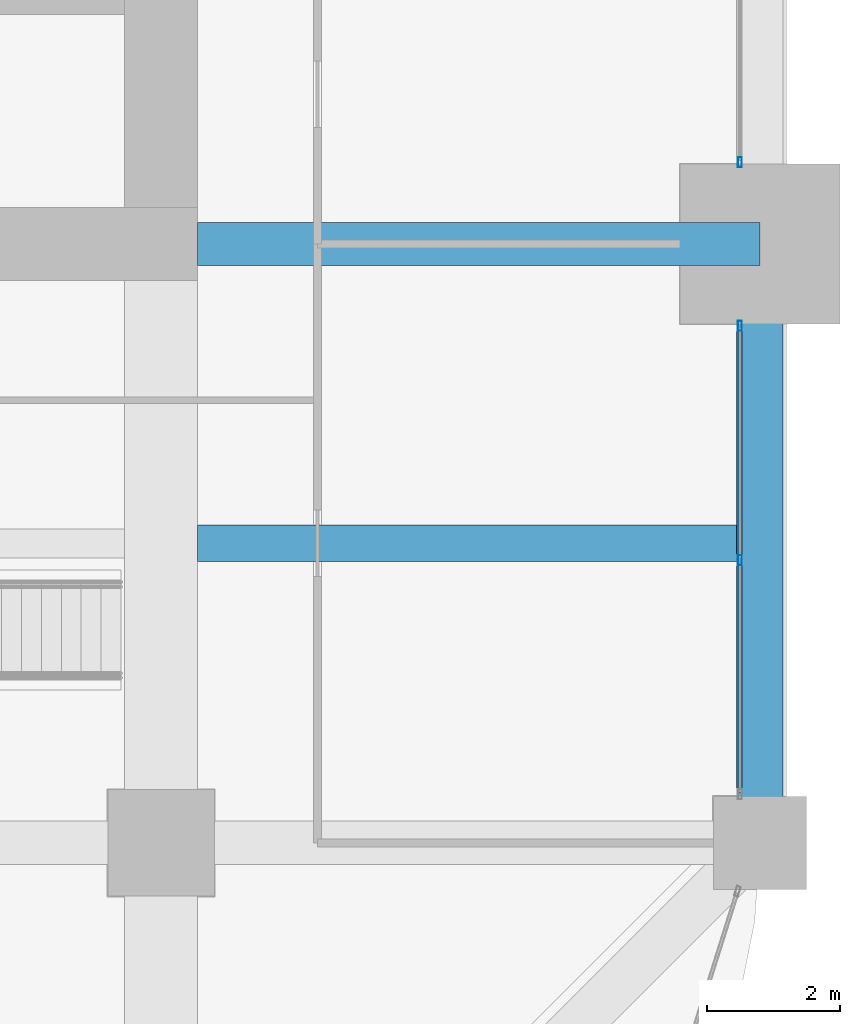
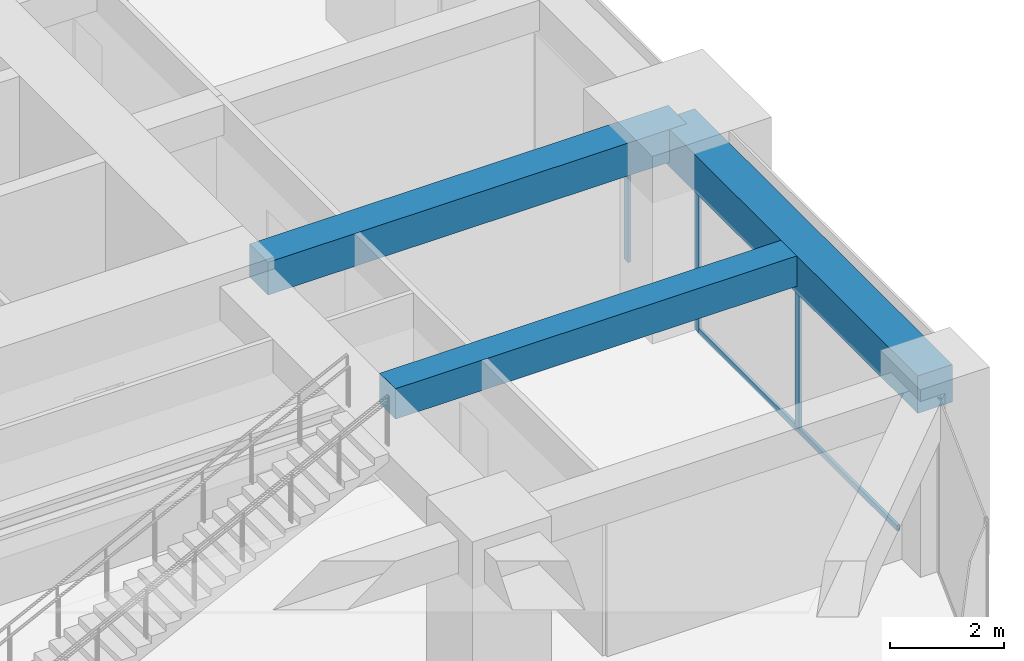
# One storey, part 17 of 34: 4 members, 3 beams, 2 elements without a shape of their own.
"""IFC4 building model written with IfcOpenShell, lengths in metres."""

from ifc_helpers import new_model, si_unit, direction, frame, origin, origin_2d, place, context, subcontext, project, spatial, rectangle, hollow_rectangle, extrude, material, material_profile, profile_set, type_object, element, aggregate, save


model = new_model("IFC4")

# Units and contexts
model_context = context("Model", 3, precision=1e-05, world=origin(), true_north=direction((0.0, 1.0)))
body_context = subcontext(model_context, "Body", "Model", "MODEL_VIEW")
ifc_project = project(units=[si_unit("LENGTHUNIT", "METRE"), si_unit("AREAUNIT", "SQUARE_METRE"), si_unit("VOLUMEUNIT", "CUBIC_METRE"), si_unit("PLANEANGLEUNIT", "RADIAN"), si_unit("MASSUNIT", "GRAM", prefix="KILO")], contexts=[model_context])

# Site, building, storey
site_placement = place(None, origin())
site = spatial("IfcSite", under=ifc_project, at=site_placement, CompositionType="ELEMENT")
building_placement = place(site_placement, origin())
building = spatial("IfcBuilding", under=site, at=building_placement, Name="Zorevar Civic Tower", CompositionType="ELEMENT")
storey_placement = place(building_placement, frame((0.0, 0.0, 174.199951171875)))
storey = spatial("IfcBuildingStorey", under=building, at=storey_placement, Name="L42", CompositionType="ELEMENT", Elevation=174.199951171875)

# Beams
ifc_material_1 = material(Name="Concrete C50/60", Category="concrete")
ifc_material_profile_1 = material_profile(ifc_material_1, rectangle(XDim=0.550048828125, YDim=0.64990234375, at=origin_2d()), Name="RC 550x650")
ifc_profile_set_1 = profile_set([ifc_material_profile_1], Name="Concrete C50/60")
beam_type_1 = type_object("IfcBeamType", Name="Beam RC 550x650", PredefinedType="BEAM", material=ifc_profile_set_1)
beam_1_placement = place(storey_placement, frame((45.550048828125, 13.5, 3.425048828125), z_axis=(1.0, 0.0, 0.0), x_axis=(0.0, 1.0, 0.0)))
element("IfcBeam", 1, at=beam_1_placement, inside=storey, type_object=beam_type_1, Name="Secondary beam L43", PredefinedType="BEAM", context=body_context, shape_type="SweptSolid", body=[
    extrude(rectangle(XDim=0.550048828125, YDim=0.64990234375, at=origin_2d()), origin(), (0.0, 0.0, 1.0), 8.099853515625),
])
ifc_material_2 = material(Name="Concrete C50/60", Category="concrete")
ifc_material_profile_2 = material_profile(ifc_material_2, rectangle(XDim=0.64990234375, YDim=0.699951171875, at=origin_2d()), Name="RC 650x700")
ifc_profile_set_2 = profile_set([ifc_material_profile_2], Name="Concrete C50/60")
beam_type_2 = type_object("IfcBeamType", Name="Beam RC 650x700", PredefinedType="BEAM", material=ifc_profile_set_2)
beam_2_placement = place(storey_placement, frame((45.550048828125, 18.0, 3.400146484375), z_axis=(1.0, 0.0, 0.0), x_axis=(0.0, 1.0, 0.0)))
element("IfcBeam", 2, at=beam_2_placement, inside=storey, type_object=beam_type_2, Name="Girder L43", PredefinedType="BEAM", context=body_context, shape_type="SweptSolid", body=[
    extrude(rectangle(XDim=0.64990234375, YDim=0.699951171875, at=origin_2d()), origin(), (0.0, 0.0, 1.0), 8.449951171875),
])

# Curtain wall, members
ifc_material_3 = material(Name="Dark grey solar-control glass in black aluminium frame", Category="aluminium")
curtain_wall_type = type_object("IfcCurtainWallType", Name="Curtain wall CW4 high zone", PredefinedType="NOTDEFINED", material=ifc_material_3)
curtain_wall_1_placement = place(storey_placement, origin())
curtain_wall_1 = element("IfcCurtainWall", 3, at=curtain_wall_1_placement, inside=storey, type_object=curtain_wall_type, Name="CW4 L42", PredefinedType="NOTDEFINED")
ifc_material_4 = material(Name="Aluminium, black anodised", Category="aluminium")
ifc_material_profile_3 = material_profile(ifc_material_4, hollow_rectangle(XDim=0.06005859375, YDim=0.14990234375, WallThickness=0.00390625, at=origin_2d()), Name="AL 150x60x4")
ifc_profile_set_3 = profile_set([ifc_material_profile_3], Name="Aluminium, black anodised")
member_type_1 = type_object("IfcMemberType", Name="CW4 mullion AL 150x60x4", PredefinedType="MULLION", material=ifc_profile_set_3)
member_1_placement = place(storey_placement, frame((53.699951171875, 13.25, 0.06005859375), z_axis=(0.0, 0.0, 1.0), x_axis=(-1.0, 0.0, 0.0)))
member_1 = element("IfcMember", 4, at=member_1_placement, type_object=member_type_1, Name="CW4 mullion 2", PredefinedType="MULLION", context=body_context, shape_type="SweptSolid", body=[
    extrude(hollow_rectangle(XDim=0.06005859375, YDim=0.14990234375, WallThickness=0.00390625, at=origin_2d()), origin(), (0.0, 0.0, 1.0), 2.889892578125),
])
member_2_placement = place(storey_placement, frame((53.699951171875, 16.77001953125, 0.0), z_axis=(0.0, 0.0, 1.0), x_axis=(-1.0, 0.0, 0.0)))
member_2 = element("IfcMember", 5, at=member_2_placement, type_object=member_type_1, Name="CW4 mullion 3", PredefinedType="MULLION", context=body_context, shape_type="SweptSolid", body=[
    extrude(hollow_rectangle(XDim=0.06005859375, YDim=0.14990234375, WallThickness=0.00390625, at=origin_2d()), origin(), (0.0, 0.0, 1.0), 2.949951171875),
])

# Curtain wall, member
curtain_wall_2_placement = place(storey_placement, origin())
curtain_wall_2 = element("IfcCurtainWall", 6, at=curtain_wall_2_placement, inside=storey, type_object=curtain_wall_type, Name="CW4 L42", PredefinedType="NOTDEFINED")
member_3_placement = place(storey_placement, frame((53.699951171875, 19.22998046875, 0.0), z_axis=(0.0, 0.0, 1.0), x_axis=(-1.0, 0.0, 0.0)))
member_3 = element("IfcMember", 7, at=member_3_placement, type_object=member_type_1, Name="CW4 mullion 1", PredefinedType="MULLION", context=body_context, shape_type="SweptSolid", body=[
    extrude(hollow_rectangle(XDim=0.06005859375, YDim=0.14990234375, WallThickness=0.00390625, at=origin_2d()), origin(), (0.0, 0.0, 1.0), 2.949951171875),
])
aggregate(curtain_wall_2, [member_3])

# Member
ifc_material_5 = material(Name="Aluminium, black anodised", Category="aluminium")
ifc_material_profile_4 = material_profile(ifc_material_5, hollow_rectangle(XDim=0.06005859375, YDim=0.1201171875, WallThickness=0.0029296875, at=origin_2d()), Name="AL 120x60x3")
ifc_profile_set_4 = profile_set([ifc_material_profile_4], Name="Aluminium, black anodised")
member_type_2 = type_object("IfcMemberType", Name="CW4 transom AL 120x60x3", PredefinedType="USERDEFINED", material=ifc_profile_set_4)
member_4_placement = place(storey_placement, frame((53.699951171875, 9.760009765625, 0.030029296875), z_axis=(0.0, 1.0, 0.0), x_axis=(-1.0, 0.0, 0.0)))
member_4 = element("IfcMember", 8, at=member_4_placement, type_object=member_type_2, Name="CW4 sill transom", ObjectType="TRANSOM", PredefinedType="USERDEFINED", context=body_context, shape_type="SweptSolid", body=[
    extrude(hollow_rectangle(XDim=0.06005859375, YDim=0.1201171875, WallThickness=0.0029296875, at=origin_2d()), origin(), (0.0, 0.0, 1.0), 6.97998046875),
])

aggregate(curtain_wall_1, [member_1, member_2, member_4])

# Beam
ifc_material_6 = material(Name="Concrete C50/60", Category="concrete")
ifc_material_profile_5 = material_profile(ifc_material_6, rectangle(XDim=0.699951171875, YDim=0.800048828125, at=origin_2d()), Name="RC 700x800")
ifc_profile_set_5 = profile_set([ifc_material_profile_5], Name="Concrete C50/60")
beam_type_3 = type_object("IfcBeamType", Name="Edge beam RC 700x800", PredefinedType="SPANDREL", material=ifc_profile_set_5)
beam_3_placement = place(storey_placement, frame((54.0, 9.0, 3.35009765625), z_axis=(0.0, 1.0, 0.0), x_axis=(-1.0, 0.0, 0.0)))
element("IfcBeam", 9, at=beam_3_placement, inside=storey, type_object=beam_type_3, Name="Edge beam L43", PredefinedType="SPANDREL", context=body_context, shape_type="SweptSolid", body=[
    extrude(rectangle(XDim=0.699951171875, YDim=0.800048828125, at=origin_2d()), origin(), (0.0, 0.0, 1.0), 9.0),
])

save(model, "model.ifc")
